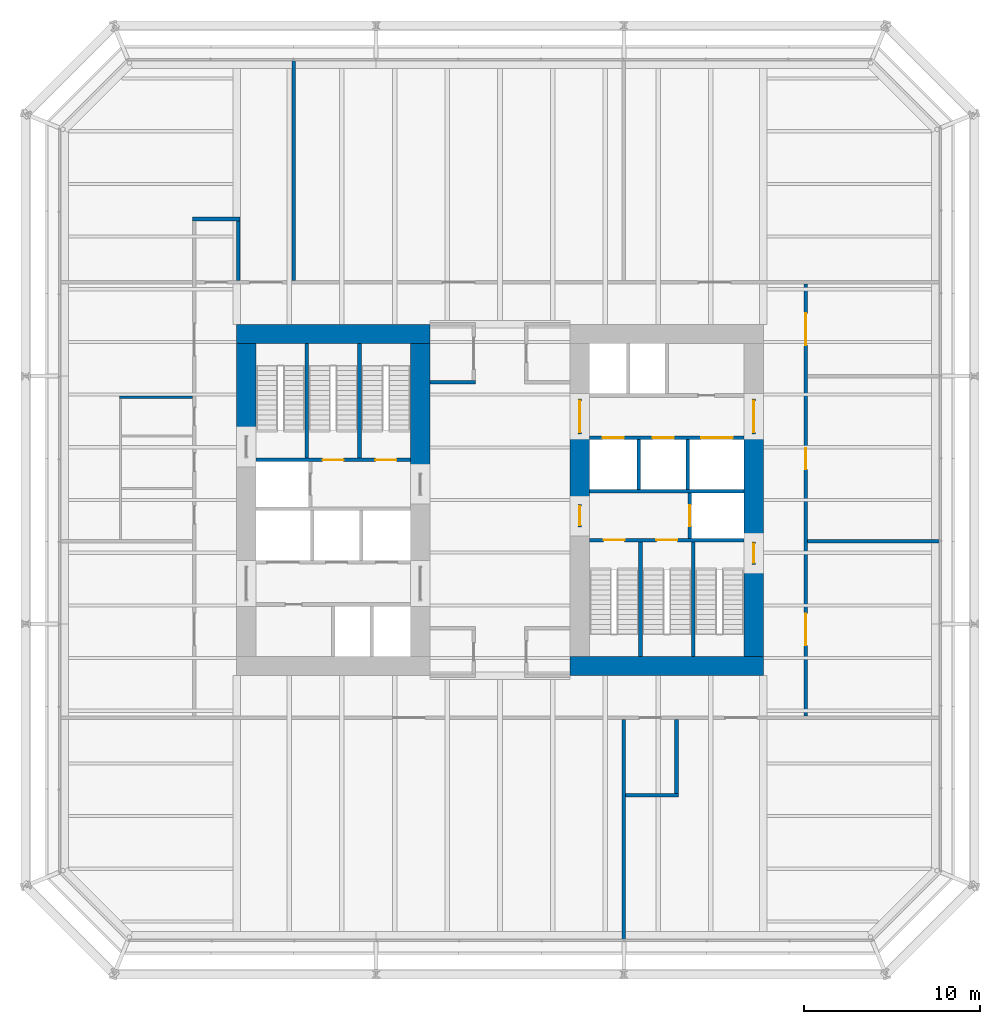
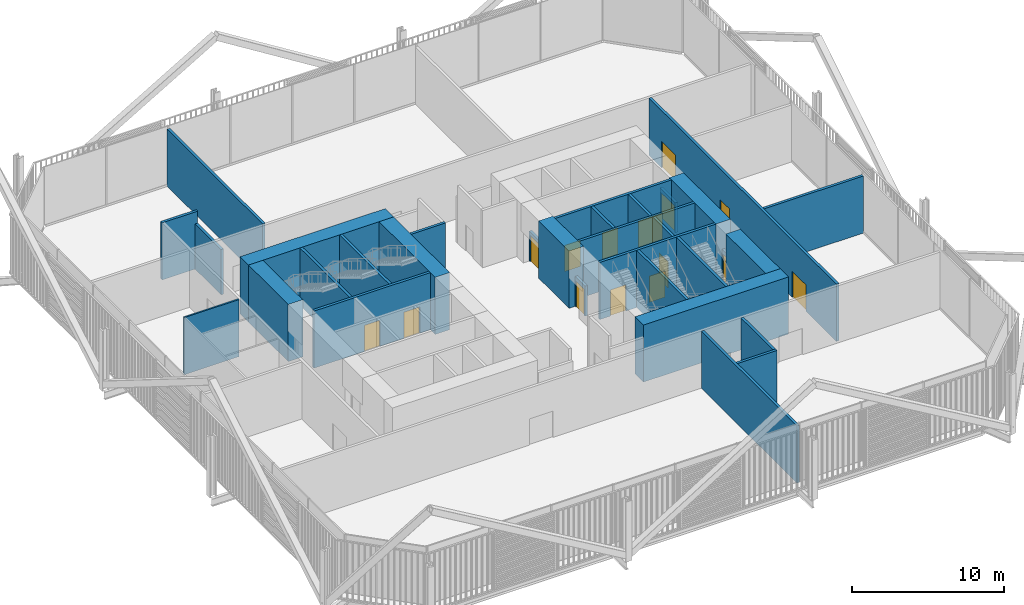
# One storey, part 19 of 22: 32 walls, 15 doors, 15 openings.
"""IFC4 building model written with IfcOpenShell, lengths in metres."""

from ifc_helpers import new_model, si_unit, direction, frame, frame_2d, origin, place, context, subcontext, project, spatial, rectangle, extrude, material, layer, layer_set, type_object, element, fill, save


model = new_model("IFC4")

# Units and contexts
model_context = context("Model", 3, precision=1e-05, world=origin(), true_north=direction((0.0, 1.0)))
body_context = subcontext(model_context, "Body", "Model", "MODEL_VIEW")
ifc_project = project(units=[si_unit("LENGTHUNIT", "METRE"), si_unit("AREAUNIT", "SQUARE_METRE"), si_unit("VOLUMEUNIT", "CUBIC_METRE"), si_unit("PLANEANGLEUNIT", "RADIAN"), si_unit("MASSUNIT", "GRAM", prefix="KILO")], contexts=[model_context])

# Site, building, storey
site_placement = place(None, origin())
site = spatial("IfcSite", under=ifc_project, at=site_placement, CompositionType="ELEMENT")
building_placement = place(site_placement, origin())
building = spatial("IfcBuilding", under=site, at=building_placement, Name="Millrace Tower", CompositionType="ELEMENT")
storey_placement = place(building_placement, frame((0.0, 0.0, 54.5)))
storey = spatial("IfcBuildingStorey", under=building, at=storey_placement, Name="L12", CompositionType="ELEMENT", Elevation=54.5)

# Walls
ifc_material_1 = material(Name="Concrete C80", Category="concrete")
ifc_layer_1 = layer(ifc_material_1, 1.10009765625)
ifc_layer_set_1 = layer_set([ifc_layer_1], Name="Concrete C80")
wall_type_1 = type_object("IfcWallType", Name="Core wall 1100 Concrete C80", PredefinedType="SHEAR", material=ifc_layer_set_1)
wall_1_placement = place(storey_placement, frame((-15.0, 9.449951171875, 0.0), z_axis=(0.0, 0.0, 1.0), x_axis=(1.0, 0.0, 0.0)))
element("IfcWall", 1, at=wall_1_placement, inside=storey, type_object=wall_type_1, Name="Core wall W L12", PredefinedType="SHEAR", context=body_context, shape_type="SweptSolid", body=[
    extrude(rectangle(XDim=11.0, YDim=1.10009765625, at=frame_2d((5.5, 0.0))), origin(), (0.0, 0.0, 1.0), 4.574951171875),
])
wall_2_placement = place(storey_placement, frame((-14.449951171875, 3.679931640625, 0.0), z_axis=(0.0, 0.0, 1.0), x_axis=(0.0, 1.0, 0.0)))
element("IfcWall", 2, at=wall_2_placement, inside=storey, type_object=wall_type_1, Name="Core wall W L12", PredefinedType="SHEAR", context=body_context, shape_type="SweptSolid", body=[
    extrude(rectangle(XDim=5.219970703125, YDim=1.10009765625, at=frame_2d((2.60986328125, 0.0))), origin(), (0.0, 0.0, 1.0), 4.574951171875),
])
wall_3_placement = place(storey_placement, frame((-4.550048828125, 1.550048828125, 0.0), z_axis=(0.0, 0.0, 1.0), x_axis=(0.0, 1.0, 0.0)))
element("IfcWall", 3, at=wall_3_placement, inside=storey, type_object=wall_type_1, Name="Core wall W L12", PredefinedType="SHEAR", context=body_context, shape_type="SweptSolid", body=[
    extrude(rectangle(XDim=7.349853515625, YDim=1.10009765625, at=frame_2d((3.6748046875, 0.0))), origin(), (0.0, 0.0, 1.0), 4.574951171875),
])
wall_4_placement = place(storey_placement, frame((15.0, -9.449951171875, 0.0), z_axis=(0.0, 0.0, 1.0), x_axis=(-1.0, 0.0, 0.0)))
element("IfcWall", 4, at=wall_4_placement, inside=storey, type_object=wall_type_1, Name="Core wall E L12", PredefinedType="SHEAR", context=body_context, shape_type="SweptSolid", body=[
    extrude(rectangle(XDim=11.0, YDim=1.10009765625, at=frame_2d((5.5, 0.0))), origin(), (0.0, 0.0, 1.0), 4.574951171875),
])
wall_5_placement = place(storey_placement, frame((14.449951171875, 3.75, 0.0), z_axis=(0.0, 0.0, 1.0), x_axis=(0.0, -1.0, 0.0)))
element("IfcWall", 5, at=wall_5_placement, inside=storey, type_object=wall_type_1, Name="Core wall E L12", PredefinedType="SHEAR", context=body_context, shape_type="SweptSolid", body=[
    extrude(rectangle(XDim=6.1298828125, YDim=1.10009765625, at=frame_2d((3.06494140625, 0.0))), origin(), (0.0, 0.0, 1.0), 4.574951171875),
])
wall_6_placement = place(storey_placement, frame((14.449951171875, -3.679931640625, 0.0), z_axis=(0.0, 0.0, 1.0), x_axis=(0.0, -1.0, 0.0)))
element("IfcWall", 6, at=wall_6_placement, inside=storey, type_object=wall_type_1, Name="Core wall E L12", PredefinedType="SHEAR", context=body_context, shape_type="SweptSolid", body=[
    extrude(rectangle(XDim=5.219970703125, YDim=1.10009765625, at=frame_2d((2.60986328125, 0.0))), origin(), (0.0, 0.0, 1.0), 4.574951171875),
])
wall_7_placement = place(storey_placement, frame((4.550048828125, 3.75, 0.0), z_axis=(0.0, 0.0, 1.0), x_axis=(0.0, -1.0, 0.0)))
element("IfcWall", 7, at=wall_7_placement, inside=storey, type_object=wall_type_1, Name="Core wall E L12", PredefinedType="SHEAR", context=body_context, shape_type="SweptSolid", body=[
    extrude(rectangle(XDim=4.0, YDim=1.10009765625, at=frame_2d((2.0, 0.0))), origin(), (0.0, 0.0, 1.0), 4.574951171875),
])
ifc_material_2 = material(Name="Masonry partition, fire-rated", Category="masonry")
ifc_layer_2 = layer(ifc_material_2, 0.199951171875)
ifc_layer_set_2 = layer_set([ifc_layer_2], Name="Masonry partition, fire-rated")
wall_type_2 = type_object("IfcWallType", Name="Corridor wall 200", PredefinedType="PARTITIONING", material=ifc_layer_set_2)
wall_8_placement = place(storey_placement, frame((7.14990234375, -16.800048828125, 0.0), z_axis=(0.0, 0.0, 1.0), x_axis=(1.0, 0.0, 0.0)))
element("IfcWall", 8, at=wall_8_placement, inside=storey, type_object=wall_type_2, Name="Corridor wall L12", PredefinedType="PARTITIONING", context=body_context, shape_type="SweptSolid", body=[
    extrude(rectangle(XDim=3.0, YDim=0.199951171875, at=frame_2d((1.5, 0.0))), origin(), (0.0, 0.0, 1.0), 4.574951171875),
])
wall_9_placement = place(storey_placement, frame((17.5, -2.35009765625, 0.0), z_axis=(0.0, 0.0, 1.0), x_axis=(1.0, 0.0, 0.0)))
element("IfcWall", 9, at=wall_9_placement, inside=storey, type_object=wall_type_2, Name="Corridor wall L12", PredefinedType="PARTITIONING", context=body_context, shape_type="SweptSolid", body=[
    extrude(rectangle(XDim=7.530029296875, YDim=0.199951171875, at=frame_2d((3.76513671875, 0.0))), origin(), (0.0, 0.0, 1.0), 4.574951171875),
])
wall_10_placement = place(storey_placement, frame((-4.0, 6.699951171875, 0.0), z_axis=(0.0, 0.0, 1.0), x_axis=(1.0, 0.0, 0.0)))
element("IfcWall", 10, at=wall_10_placement, inside=storey, type_object=wall_type_2, Name="Corridor wall L12", PredefinedType="PARTITIONING", context=body_context, shape_type="SweptSolid", body=[
    extrude(rectangle(XDim=2.60009765625, YDim=0.199951171875, at=frame_2d((1.300048828125, 0.0))), origin(), (0.0, 0.0, 1.0), 4.574951171875),
])
wall_11_placement = place(storey_placement, frame((-17.5, 16.0, 0.0), z_axis=(0.0, 0.0, 1.0), x_axis=(1.0, 0.0, 0.0)))
element("IfcWall", 11, at=wall_11_placement, inside=storey, type_object=wall_type_2, Name="Corridor wall L12", PredefinedType="PARTITIONING", context=body_context, shape_type="SweptSolid", body=[
    extrude(rectangle(XDim=2.699951171875, YDim=0.199951171875, at=frame_2d((1.35009765625, 0.0))), origin(), (0.0, 0.0, 1.0), 4.574951171875),
])

# Wall, openings, doors
wall_12_placement = place(storey_placement, frame((17.39990234375, -12.300048828125, 0.0), z_axis=(0.0, 0.0, 1.0), x_axis=(0.0, 1.0, 0.0)))
wall_12 = element("IfcWall", 12, at=wall_12_placement, inside=storey, type_object=wall_type_2, Name="Corridor wall L12", PredefinedType="PARTITIONING", context=body_context, shape_type="SweptSolid", body=[
    extrude(rectangle(XDim=24.60009765625, YDim=0.199951171875, at=frame_2d((12.300048828125, 0.0))), origin(), (0.0, 0.0, 1.0), 4.574951171875),
])
opening_1_placement = place(wall_12_placement, frame((4.02490234375, 0.0, 0.0)))
opening_1 = element("IfcOpeningElement", 13, at=opening_1_placement, cuts=wall_12, Name="Opening 12-P012", PredefinedType="OPENING", context=body_context, shape_type="SweptSolid", body=[
    extrude(rectangle(XDim=1.800048828125, YDim=2.10009765625, at=frame_2d((0.89990234375, 1.050048828125))), frame((0.0, 0.10986328125, 0.0), z_axis=(0.0, -1.0, 0.0), x_axis=(1.0, 0.0, 0.0)), (0.0, 0.0, 1.0), 0.219970703125),
])
opening_2_placement = place(wall_12_placement, frame((14.050048828125, 0.0, 0.0)))
opening_2 = element("IfcOpeningElement", 14, at=opening_2_placement, cuts=wall_12, Name="Opening 12-P013", PredefinedType="OPENING", context=body_context, shape_type="SweptSolid", body=[
    extrude(rectangle(XDim=1.199951171875, YDim=2.10009765625, at=frame_2d((0.60009765625, 1.050048828125))), frame((0.0, 0.10986328125, 0.0), z_axis=(0.0, -1.0, 0.0), x_axis=(1.0, 0.0, 0.0)), (0.0, 0.0, 1.0), 0.219970703125),
])
opening_3_placement = place(wall_12_placement, frame((21.125, 0.0, 0.0)))
opening_3 = element("IfcOpeningElement", 15, at=opening_3_placement, cuts=wall_12, Name="Opening 12-P014", PredefinedType="OPENING", context=body_context, shape_type="SweptSolid", body=[
    extrude(rectangle(XDim=1.800048828125, YDim=2.10009765625, at=frame_2d((0.89990234375, 1.050048828125))), frame((0.0, 0.10986328125, 0.0), z_axis=(0.0, -1.0, 0.0), x_axis=(1.0, 0.0, 0.0)), (0.0, 0.0, 1.0), 0.219970703125),
])
ifc_material_3 = material(Name="Steel door set, fire-rated", Category="steel")
door_type_1 = type_object("IfcDoorType", Name="Corridor door 1200 x 2100", OperationType="SINGLE_SWING_LEFT", PredefinedType="DOOR", material=ifc_material_3)
door_1_placement = place(opening_2_placement, frame((1.199951171875, 0.0, 0.0), z_axis=(0.0, 0.0, 1.0), x_axis=(-1.0, 0.0, 0.0)))
door_1 = element("IfcDoor", 16, at=door_1_placement, inside=storey, type_object=door_type_1, Name="Door 12-P013", OperationType="SINGLE_SWING_LEFT", OverallHeight=2.10009765625, OverallWidth=1.199951171875, PredefinedType="DOOR", context=body_context, shape_type="SweptSolid", body=[
    extrude(rectangle(XDim=1.199951171875, YDim=2.10009765625, at=frame_2d((0.60009765625, 1.050048828125))), frame((0.0, 0.02490234375, 0.0), z_axis=(0.0, -1.0, 0.0), x_axis=(1.0, 0.0, 0.0)), (0.0, 0.0, 1.0), 0.050048828125),
])
fill(opening_2, door_1)
ifc_material_4 = material(Name="Steel door set, fire-rated", Category="steel")
door_type_2 = type_object("IfcDoorType", Name="Data hall door 1800 x 2100", OperationType="DOUBLE_DOOR_SINGLE_SWING", PredefinedType="DOOR", material=ifc_material_4)
door_2_placement = place(opening_1_placement, frame((1.800048828125, 0.0, 0.0), z_axis=(0.0, 0.0, 1.0), x_axis=(-1.0, 0.0, 0.0)))
door_2 = element("IfcDoor", 17, at=door_2_placement, inside=storey, type_object=door_type_2, Name="Door 12-P012", OperationType="DOUBLE_DOOR_SINGLE_SWING", OverallHeight=2.10009765625, OverallWidth=1.800048828125, PredefinedType="DOOR", context=body_context, shape_type="SweptSolid", body=[
    extrude(rectangle(XDim=1.800048828125, YDim=2.10009765625, at=frame_2d((0.89990234375, 1.050048828125))), frame((0.0, 0.02490234375, 0.0), z_axis=(0.0, -1.0, 0.0), x_axis=(1.0, 0.0, 0.0)), (0.0, 0.0, 1.0), 0.050048828125),
])
fill(opening_1, door_2)
door_3_placement = place(opening_3_placement, frame((1.800048828125, 0.0, 0.0), z_axis=(0.0, 0.0, 1.0), x_axis=(-1.0, 0.0, 0.0)))
door_3 = element("IfcDoor", 18, at=door_3_placement, inside=storey, type_object=door_type_2, Name="Door 12-P014", OperationType="DOUBLE_DOOR_SINGLE_SWING", OverallHeight=2.10009765625, OverallWidth=1.800048828125, PredefinedType="DOOR", context=body_context, shape_type="SweptSolid", body=[
    extrude(rectangle(XDim=1.800048828125, YDim=2.10009765625, at=frame_2d((0.89990234375, 1.050048828125))), frame((0.0, 0.02490234375, 0.0), z_axis=(0.0, -1.0, 0.0), x_axis=(1.0, 0.0, 0.0)), (0.0, 0.0, 1.0), 0.050048828125),
])
fill(opening_3, door_3)

# Walls
wall_13_placement = place(storey_placement, frame((10.050048828125, -16.699951171875, 0.0), z_axis=(0.0, 0.0, 1.0), x_axis=(0.0, 1.0, 0.0)))
element("IfcWall", 19, at=wall_13_placement, inside=storey, type_object=wall_type_2, Name="Corridor wall L12", PredefinedType="PARTITIONING", context=body_context, shape_type="SweptSolid", body=[
    extrude(rectangle(XDim=4.199951171875, YDim=0.199951171875, at=frame_2d((2.10009765625, 0.0))), origin(), (0.0, 0.0, 1.0), 4.574951171875),
])
for number, where, z_axis, x_axis, name in (
    (20, (7.050048828125, -25.030029296875, 0.0), (0.0, 0.0, 1.0), (0.0, 1.0, 0.0), "Corridor wall L12"),
    (21, (-11.75, 12.5, 0.0), (0.0, 0.0, 1.0), (0.0, 1.0, 0.0), "Corridor wall L12"),
):
    element("IfcWall", number, at=place(storey_placement, frame(where, z_axis=z_axis, x_axis=x_axis)), inside=storey, type_object=wall_type_2, Name=name, PredefinedType="PARTITIONING", context=body_context, shape_type="SweptSolid", body=[
        extrude(rectangle(XDim=12.530029296875, YDim=0.199951171875, at=frame_2d((6.26513671875, 0.0))), origin(), (0.0, 0.0, 1.0), 4.574951171875),
    ])
wall_14_placement = place(storey_placement, frame((-14.89990234375, 12.5, 0.0), z_axis=(0.0, 0.0, 1.0), x_axis=(0.0, 1.0, 0.0)))
element("IfcWall", 22, at=wall_14_placement, inside=storey, type_object=wall_type_2, Name="Corridor wall L12", PredefinedType="PARTITIONING", context=body_context, shape_type="SweptSolid", body=[
    extrude(rectangle(XDim=3.39990234375, YDim=0.199951171875, at=frame_2d((1.699951171875, 0.0))), origin(), (0.0, 0.0, 1.0), 3.627685546875),
])

# Wall, openings, doors
ifc_material_5 = material(Name="Masonry partition, fire-rated", Category="masonry")
ifc_layer_3 = layer(ifc_material_5, 0.199951171875)
ifc_layer_set_3 = layer_set([ifc_layer_3], Name="Masonry partition, fire-rated")
wall_type_3 = type_object("IfcWallType", Name="Lift shaft wall 200", PredefinedType="PARTITIONING", material=ifc_layer_set_3)
wall_15_placement = place(storey_placement, frame((13.89990234375, 3.550048828125, 0.0), z_axis=(0.0, 0.0, 1.0), x_axis=(-1.0, 0.0, 0.0)))
wall_15 = element("IfcWall", 23, at=wall_15_placement, inside=storey, type_object=wall_type_3, Name="Lift shaft wall E L12", PredefinedType="PARTITIONING", context=body_context, shape_type="SweptSolid", body=[
    extrude(rectangle(XDim=8.7998046875, YDim=0.199951171875, at=frame_2d((4.39990234375, 0.0))), origin(), (0.0, 0.0, 1.0), 4.574951171875),
])
opening_4_placement = place(wall_15_placement, frame((0.64990234375, 0.0, 0.0)))
opening_4 = element("IfcOpeningElement", 24, at=opening_4_placement, cuts=wall_15, Name="Opening 12-LD13", PredefinedType="OPENING", context=body_context, shape_type="SweptSolid", body=[
    extrude(rectangle(XDim=1.800048828125, YDim=2.10009765625, at=frame_2d((0.89990234375, 1.050048828125))), frame((0.0, 0.10986328125, 0.0), z_axis=(0.0, -1.0, 0.0), x_axis=(1.0, 0.0, 0.0)), (0.0, 0.0, 1.0), 0.219970703125),
])
opening_5_placement = place(wall_15_placement, frame((4.0, 0.0, 0.0)))
opening_5 = element("IfcOpeningElement", 25, at=opening_5_placement, cuts=wall_15, Name="Opening 12-LD14", PredefinedType="OPENING", context=body_context, shape_type="SweptSolid", body=[
    extrude(rectangle(XDim=1.199951171875, YDim=2.10009765625, at=frame_2d((0.60009765625, 1.050048828125))), frame((0.0, 0.10986328125, 0.0), z_axis=(0.0, -1.0, 0.0), x_axis=(1.0, 0.0, 0.0)), (0.0, 0.0, 1.0), 0.219970703125),
])
opening_6_placement = place(wall_15_placement, frame((6.85009765625, 0.0, 0.0)))
opening_6 = element("IfcOpeningElement", 26, at=opening_6_placement, cuts=wall_15, Name="Opening 12-LD15", PredefinedType="OPENING", context=body_context, shape_type="SweptSolid", body=[
    extrude(rectangle(XDim=1.199951171875, YDim=2.10009765625, at=frame_2d((0.60009765625, 1.050048828125))), frame((0.0, 0.10986328125, 0.0), z_axis=(0.0, -1.0, 0.0), x_axis=(1.0, 0.0, 0.0)), (0.0, 0.0, 1.0), 0.219970703125),
])
ifc_material_6 = material(Name="Stainless steel, fire-rated", Category="steel")
door_type_3 = type_object("IfcDoorType", Name="Lift landing door 1200 x 2100", OperationType="DOUBLE_DOOR_SLIDING", PredefinedType="DOOR", material=ifc_material_6)
door_4_placement = place(opening_5_placement, origin())
door_4 = element("IfcDoor", 27, at=door_4_placement, inside=storey, type_object=door_type_3, Name="Lift landing door LF14 L12", OperationType="DOUBLE_DOOR_SLIDING", OverallHeight=2.10009765625, OverallWidth=1.199951171875, PredefinedType="DOOR", context=body_context, shape_type="SweptSolid", body=[
    extrude(rectangle(XDim=1.199951171875, YDim=2.10009765625, at=frame_2d((0.60009765625, 1.050048828125))), frame((0.0, 0.02490234375, 0.0), z_axis=(0.0, -1.0, 0.0), x_axis=(1.0, 0.0, 0.0)), (0.0, 0.0, 1.0), 0.050048828125),
])
fill(opening_5, door_4)
door_5_placement = place(opening_6_placement, origin())
door_5 = element("IfcDoor", 28, at=door_5_placement, inside=storey, type_object=door_type_3, Name="Lift landing door LF15 L12", OperationType="DOUBLE_DOOR_SLIDING", OverallHeight=2.10009765625, OverallWidth=1.199951171875, PredefinedType="DOOR", context=body_context, shape_type="SweptSolid", body=[
    extrude(rectangle(XDim=1.199951171875, YDim=2.10009765625, at=frame_2d((0.60009765625, 1.050048828125))), frame((0.0, 0.02490234375, 0.0), z_axis=(0.0, -1.0, 0.0), x_axis=(1.0, 0.0, 0.0)), (0.0, 0.0, 1.0), 0.050048828125),
])
fill(opening_6, door_5)
ifc_material_7 = material(Name="Stainless steel, fire-rated", Category="steel")
door_type_4 = type_object("IfcDoorType", Name="Lift landing door 1800 x 2100", OperationType="DOUBLE_DOOR_SLIDING", PredefinedType="DOOR", material=ifc_material_7)
door_6_placement = place(opening_4_placement, origin())
door_6 = element("IfcDoor", 29, at=door_6_placement, inside=storey, type_object=door_type_4, Name="Lift landing door LF13 L12", OperationType="DOUBLE_DOOR_SLIDING", OverallHeight=2.10009765625, OverallWidth=1.800048828125, PredefinedType="DOOR", context=body_context, shape_type="SweptSolid", body=[
    extrude(rectangle(XDim=1.800048828125, YDim=2.10009765625, at=frame_2d((0.89990234375, 1.050048828125))), frame((0.0, 0.02490234375, 0.0), z_axis=(0.0, -1.0, 0.0), x_axis=(1.0, 0.0, 0.0)), (0.0, 0.0, 1.0), 0.050048828125),
])
fill(opening_4, door_6)

# Wall
wall_16_placement = place(storey_placement, frame((13.89990234375, 0.5, 0.0), z_axis=(0.0, 0.0, 1.0), x_axis=(-1.0, 0.0, 0.0)))
element("IfcWall", 30, at=wall_16_placement, inside=storey, type_object=wall_type_3, Name="Lift shaft wall E L12", PredefinedType="PARTITIONING", context=body_context, shape_type="SweptSolid", body=[
    extrude(rectangle(XDim=8.7998046875, YDim=0.199951171875, at=frame_2d((4.39990234375, 0.0))), origin(), (0.0, 0.0, 1.0), 4.574951171875),
])

# Wall, opening, door
wall_17_placement = place(storey_placement, frame((10.800048828125, 0.39990234375, 0.0), z_axis=(0.0, 0.0, 1.0), x_axis=(0.0, -1.0, 0.0)))
wall_17 = element("IfcWall", 31, at=wall_17_placement, inside=storey, type_object=wall_type_3, Name="Lift shaft wall E L12", PredefinedType="PARTITIONING", context=body_context, shape_type="SweptSolid", body=[
    extrude(rectangle(XDim=2.579833984375, YDim=0.199951171875, at=frame_2d((1.2900390625, 0.0))), origin(), (0.0, 0.0, 1.0), 4.574951171875),
])
opening_7_placement = place(wall_17_placement, frame((0.68994140625, 0.0, 0.0)))
opening_7 = element("IfcOpeningElement", 32, at=opening_7_placement, cuts=wall_17, Name="Opening 12-LD16", PredefinedType="OPENING", context=body_context, shape_type="SweptSolid", body=[
    extrude(rectangle(XDim=1.199951171875, YDim=2.10009765625, at=frame_2d((0.60009765625, 1.050048828125))), frame((0.0, 0.10986328125, 0.0), z_axis=(0.0, -1.0, 0.0), x_axis=(1.0, 0.0, 0.0)), (0.0, 0.0, 1.0), 0.219970703125),
])
door_7_placement = place(opening_7_placement, origin())
door_7 = element("IfcDoor", 33, at=door_7_placement, inside=storey, type_object=door_type_3, Name="Lift landing door LF16 L12", OperationType="DOUBLE_DOOR_SLIDING", OverallHeight=2.10009765625, OverallWidth=1.199951171875, PredefinedType="DOOR", context=body_context, shape_type="SweptSolid", body=[
    extrude(rectangle(XDim=1.199951171875, YDim=2.10009765625, at=frame_2d((0.60009765625, 1.050048828125))), frame((0.0, 0.02490234375, 0.0), z_axis=(0.0, -1.0, 0.0), x_axis=(1.0, 0.0, 0.0)), (0.0, 0.0, 1.0), 0.050048828125),
])
fill(opening_7, door_7)

# Walls
for number, where, z_axis, x_axis, name in (
    (34, (10.699951171875, 3.449951171875, 0.0), (0.0, 0.0, 1.0), (0.0, -1.0, 0.0), "Lift shaft wall E L12"),
    (35, (7.89990234375, 3.449951171875, 0.0), (0.0, 0.0, 1.0), (0.0, -1.0, 0.0), "Lift shaft wall E L12"),
):
    element("IfcWall", number, at=place(storey_placement, frame(where, z_axis=z_axis, x_axis=x_axis)), inside=storey, type_object=wall_type_3, Name=name, PredefinedType="PARTITIONING", context=body_context, shape_type="SweptSolid", body=[
        extrude(rectangle(XDim=2.849853515625, YDim=0.199951171875, at=frame_2d((1.4248046875, 0.0))), origin(), (0.0, 0.0, 1.0), 4.574951171875),
    ])

# Wall, opening, door
ifc_material_8 = material(Name="Masonry partition, fire-rated", Category="masonry")
ifc_layer_4 = layer(ifc_material_8, 0.199951171875)
ifc_layer_set_4 = layer_set([ifc_layer_4], Name="Masonry partition, fire-rated")
wall_type_4 = type_object("IfcWallType", Name="Lobby wall 200", PredefinedType="PARTITIONING", material=ifc_layer_set_4)
wall_18_placement = place(storey_placement, frame((14.449951171875, 5.75, 0.0), z_axis=(0.0, 0.0, 1.0), x_axis=(0.0, -1.0, 0.0)))
wall_18 = element("IfcWall", 36, at=wall_18_placement, inside=storey, type_object=wall_type_4, Name="Lobby wall E L12", PredefinedType="PARTITIONING", context=body_context, shape_type="SweptSolid", body=[
    extrude(rectangle(XDim=2.0, YDim=0.199951171875, at=frame_2d((1.0, 0.0))), origin(), (0.0, 0.0, 1.0), 2.39990234375),
])
opening_8_placement = place(wall_18_placement, frame((0.10009765625, 0.0, 0.0)))
opening_8 = element("IfcOpeningElement", 37, at=opening_8_placement, cuts=wall_18, Name="Opening 12-C008", PredefinedType="OPENING", context=body_context, shape_type="SweptSolid", body=[
    extrude(rectangle(XDim=1.800048828125, YDim=2.10009765625, at=frame_2d((0.89990234375, 1.050048828125))), frame((0.0, 0.10986328125, 0.0), z_axis=(0.0, -1.0, 0.0), x_axis=(1.0, 0.0, 0.0)), (0.0, 0.0, 1.0), 0.219970703125),
])
ifc_material_9 = material(Name="Steel door, fire-rated", Category="steel")
door_type_5 = type_object("IfcDoorType", Name="Lobby door 1800 x 2100", OperationType="DOUBLE_DOOR_SINGLE_SWING", PredefinedType="DOOR", material=ifc_material_9)
door_8_placement = place(opening_8_placement, origin())
door_8 = element("IfcDoor", 38, at=door_8_placement, inside=storey, type_object=door_type_5, Name="Lobby door 12-C008", OperationType="DOUBLE_DOOR_SINGLE_SWING", OverallHeight=2.10009765625, OverallWidth=1.800048828125, PredefinedType="DOOR", context=body_context, shape_type="SweptSolid", body=[
    extrude(rectangle(XDim=1.800048828125, YDim=2.10009765625, at=frame_2d((0.89990234375, 1.050048828125))), frame((0.0, 0.02490234375, 0.0), z_axis=(0.0, -1.0, 0.0), x_axis=(1.0, 0.0, 0.0)), (0.0, 0.0, 1.0), 0.050048828125),
])
fill(opening_8, door_8)

wall_19_placement = place(storey_placement, frame((4.550048828125, 5.75, 0.0), z_axis=(0.0, 0.0, 1.0), x_axis=(0.0, -1.0, 0.0)))
wall_19 = element("IfcWall", 39, at=wall_19_placement, inside=storey, type_object=wall_type_4, Name="Lobby wall E L12", PredefinedType="PARTITIONING", context=body_context, shape_type="SweptSolid", body=[
    extrude(rectangle(XDim=2.0, YDim=0.199951171875, at=frame_2d((1.0, 0.0))), origin(), (0.0, 0.0, 1.0), 2.39990234375),
])
opening_9_placement = place(wall_19_placement, frame((0.10009765625, 0.0, 0.0)))
opening_9 = element("IfcOpeningElement", 40, at=opening_9_placement, cuts=wall_19, Name="Opening 12-C010", PredefinedType="OPENING", context=body_context, shape_type="SweptSolid", body=[
    extrude(rectangle(XDim=1.800048828125, YDim=2.10009765625, at=frame_2d((0.89990234375, 1.050048828125))), frame((0.0, 0.10986328125, 0.0), z_axis=(0.0, -1.0, 0.0), x_axis=(1.0, 0.0, 0.0)), (0.0, 0.0, 1.0), 0.219970703125),
])
door_9_placement = place(opening_9_placement, origin())
door_9 = element("IfcDoor", 41, at=door_9_placement, inside=storey, type_object=door_type_5, Name="Lobby door 12-C010", OperationType="DOUBLE_DOOR_SINGLE_SWING", OverallHeight=2.10009765625, OverallWidth=1.800048828125, PredefinedType="DOOR", context=body_context, shape_type="SweptSolid", body=[
    extrude(rectangle(XDim=1.800048828125, YDim=2.10009765625, at=frame_2d((0.89990234375, 1.050048828125))), frame((0.0, 0.02490234375, 0.0), z_axis=(0.0, -1.0, 0.0), x_axis=(1.0, 0.0, 0.0)), (0.0, 0.0, 1.0), 0.050048828125),
])
fill(opening_9, door_9)

wall_20_placement = place(storey_placement, frame((4.550048828125, -0.25, 0.0), z_axis=(0.0, 0.0, 1.0), x_axis=(0.0, -1.0, 0.0)))
wall_20 = element("IfcWall", 42, at=wall_20_placement, inside=storey, type_object=wall_type_4, Name="Lobby wall E L12", PredefinedType="PARTITIONING", context=body_context, shape_type="SweptSolid", body=[
    extrude(rectangle(XDim=1.300048828125, YDim=0.199951171875, at=frame_2d((0.64990234375, 0.0))), origin(), (0.0, 0.0, 1.0), 2.39990234375),
])
opening_10_placement = place(wall_20_placement, frame((0.10009765625, 0.0, 0.0)))
opening_10 = element("IfcOpeningElement", 43, at=opening_10_placement, cuts=wall_20, Name="Opening 12-C011", PredefinedType="OPENING", context=body_context, shape_type="SweptSolid", body=[
    extrude(rectangle(XDim=1.10009765625, YDim=2.10009765625, at=frame_2d((0.550048828125, 1.050048828125))), frame((0.0, 0.10986328125, 0.0), z_axis=(0.0, -1.0, 0.0), x_axis=(1.0, 0.0, 0.0)), (0.0, 0.0, 1.0), 0.219970703125),
])
ifc_material_10 = material(Name="Steel door, fire-rated", Category="steel")
door_type_6 = type_object("IfcDoorType", Name="Lobby door 1100 x 2100", OperationType="SINGLE_SWING_LEFT", PredefinedType="DOOR", material=ifc_material_10)
door_10_placement = place(opening_10_placement, origin())
door_10 = element("IfcDoor", 44, at=door_10_placement, inside=storey, type_object=door_type_6, Name="Lobby door 12-C011", OperationType="SINGLE_SWING_LEFT", OverallHeight=2.10009765625, OverallWidth=1.10009765625, PredefinedType="DOOR", context=body_context, shape_type="SweptSolid", body=[
    extrude(rectangle(XDim=1.10009765625, YDim=2.10009765625, at=frame_2d((0.550048828125, 1.050048828125))), frame((0.0, 0.02490234375, 0.0), z_axis=(0.0, -1.0, 0.0), x_axis=(1.0, 0.0, 0.0)), (0.0, 0.0, 1.0), 0.050048828125),
])
fill(opening_10, door_10)

# Wall
ifc_material_11 = material(Name="Gypsum board partition")
ifc_layer_5 = layer(ifc_material_11, 0.1201171875)
ifc_layer_set_5 = layer_set([ifc_layer_5], Name="Gypsum board partition")
wall_type_5 = type_object("IfcWallType", Name="Partition wall 120", PredefinedType="PARTITIONING", material=ifc_layer_set_5)
wall_21_placement = place(storey_placement, frame((-21.659912109375, 5.85009765625, 0.0), z_axis=(0.0, 0.0, 1.0), x_axis=(1.0, 0.0, 0.0)))
element("IfcWall", 45, at=wall_21_placement, inside=storey, type_object=wall_type_5, Name="Partition wall L12", PredefinedType="PARTITIONING", context=body_context, shape_type="SweptSolid", body=[
    extrude(rectangle(XDim=4.159912109375, YDim=0.1201171875, at=frame_2d((2.080078125, 0.0))), origin(), (0.0, 0.0, 1.0), 4.574951171875),
])

# Wall, openings, doors
ifc_material_12 = material(Name="Concrete C40", Category="concrete")
ifc_layer_6 = layer(ifc_material_12, 0.199951171875)
ifc_layer_set_6 = layer_set([ifc_layer_6], Name="Concrete C40")
wall_type_6 = type_object("IfcWallType", Name="Stair enclosure wall 200 Concrete C40", PredefinedType="SHEAR", material=ifc_layer_set_6)
wall_22_placement = place(storey_placement, frame((-13.89990234375, 2.280029296875, 0.0), z_axis=(0.0, 0.0, 1.0), x_axis=(1.0, 0.0, 0.0)))
wall_22 = element("IfcWall", 46, at=wall_22_placement, inside=storey, type_object=wall_type_6, Name="Stair enclosure wall W L12", PredefinedType="SHEAR", context=body_context, shape_type="SweptSolid", body=[
    extrude(rectangle(XDim=8.7998046875, YDim=0.199951171875, at=frame_2d((4.39990234375, 0.0))), origin(), (0.0, 0.0, 1.0), 4.574951171875),
])
opening_11_placement = place(wall_22_placement, frame((3.800048828125, 0.0, 0.0)))
opening_11 = element("IfcOpeningElement", 47, at=opening_11_placement, cuts=wall_22, Name="Opening 12-C006", PredefinedType="OPENING", context=body_context, shape_type="SweptSolid", body=[
    extrude(rectangle(XDim=1.199951171875, YDim=2.10009765625, at=frame_2d((0.60009765625, 1.050048828125))), frame((0.0, 0.10986328125, 0.0), z_axis=(0.0, -1.0, 0.0), x_axis=(1.0, 0.0, 0.0)), (0.0, 0.0, 1.0), 0.219970703125),
])
opening_12_placement = place(wall_22_placement, frame((6.800048828125, 0.0, 0.0)))
opening_12 = element("IfcOpeningElement", 48, at=opening_12_placement, cuts=wall_22, Name="Opening 12-C007", PredefinedType="OPENING", context=body_context, shape_type="SweptSolid", body=[
    extrude(rectangle(XDim=1.199951171875, YDim=2.10009765625, at=frame_2d((0.60009765625, 1.050048828125))), frame((0.0, 0.10986328125, 0.0), z_axis=(0.0, -1.0, 0.0), x_axis=(1.0, 0.0, 0.0)), (0.0, 0.0, 1.0), 0.219970703125),
])
ifc_material_13 = material(Name="Steel door, fire-rated", Category="steel")
door_type_7 = type_object("IfcDoorType", Name="Stair door 1200 x 2100", OperationType="SINGLE_SWING_LEFT", PredefinedType="DOOR", material=ifc_material_13)
door_11_placement = place(opening_11_placement, frame((1.199951171875, 0.0, 0.0), z_axis=(0.0, 0.0, 1.0), x_axis=(-1.0, 0.0, 0.0)))
door_11 = element("IfcDoor", 49, at=door_11_placement, inside=storey, type_object=door_type_7, Name="Stair door 12-C006", OperationType="SINGLE_SWING_LEFT", OverallHeight=2.10009765625, OverallWidth=1.199951171875, PredefinedType="DOOR", context=body_context, shape_type="SweptSolid", body=[
    extrude(rectangle(XDim=1.199951171875, YDim=2.10009765625, at=frame_2d((0.60009765625, 1.050048828125))), frame((0.0, 0.02490234375, 0.0), z_axis=(0.0, -1.0, 0.0), x_axis=(1.0, 0.0, 0.0)), (0.0, 0.0, 1.0), 0.050048828125),
])
fill(opening_11, door_11)
door_12_placement = place(opening_12_placement, frame((1.199951171875, 0.0, 0.0), z_axis=(0.0, 0.0, 1.0), x_axis=(-1.0, 0.0, 0.0)))
door_12 = element("IfcDoor", 50, at=door_12_placement, inside=storey, type_object=door_type_7, Name="Stair door 12-C007", OperationType="SINGLE_SWING_LEFT", OverallHeight=2.10009765625, OverallWidth=1.199951171875, PredefinedType="DOOR", context=body_context, shape_type="SweptSolid", body=[
    extrude(rectangle(XDim=1.199951171875, YDim=2.10009765625, at=frame_2d((0.60009765625, 1.050048828125))), frame((0.0, 0.02490234375, 0.0), z_axis=(0.0, -1.0, 0.0), x_axis=(1.0, 0.0, 0.0)), (0.0, 0.0, 1.0), 0.050048828125),
])
fill(opening_12, door_12)

# Walls
for number, where, z_axis, x_axis, name in (
    (51, (-11.0, 2.3798828125, 0.0), (0.0, 0.0, 1.0), (0.0, 1.0, 0.0), "Stair enclosure wall W L12"),
    (52, (-8.0, 2.3798828125, 0.0), (0.0, 0.0, 1.0), (0.0, 1.0, 0.0), "Stair enclosure wall W L12"),
):
    element("IfcWall", number, at=place(storey_placement, frame(where, z_axis=z_axis, x_axis=x_axis)), inside=storey, type_object=wall_type_6, Name=name, PredefinedType="SHEAR", context=body_context, shape_type="SweptSolid", body=[
        extrude(rectangle(XDim=6.52001953125, YDim=0.199951171875, at=frame_2d((3.260009765625, 0.0))), origin(), (0.0, 0.0, 1.0), 4.574951171875),
    ])

# Wall, opening, door
wall_23_placement = place(storey_placement, frame((14.449951171875, -2.3798828125, 0.0), z_axis=(0.0, 0.0, 1.0), x_axis=(0.0, -1.0, 0.0)))
wall_23 = element("IfcWall", 53, at=wall_23_placement, inside=storey, type_object=wall_type_6, Name="Stair enclosure wall E L12", PredefinedType="SHEAR", context=body_context, shape_type="SweptSolid", body=[
    extrude(rectangle(XDim=1.300048828125, YDim=0.199951171875, at=frame_2d((0.64990234375, 0.0))), origin(), (0.0, 0.0, 1.0), 2.39990234375),
])
opening_13_placement = place(wall_23_placement, frame((0.10009765625, 0.0, 0.0)))
opening_13 = element("IfcOpeningElement", 54, at=opening_13_placement, cuts=wall_23, Name="Opening 12-C009", PredefinedType="OPENING", context=body_context, shape_type="SweptSolid", body=[
    extrude(rectangle(XDim=1.10009765625, YDim=2.10009765625, at=frame_2d((0.550048828125, 1.050048828125))), frame((0.0, 0.10986328125, 0.0), z_axis=(0.0, -1.0, 0.0), x_axis=(1.0, 0.0, 0.0)), (0.0, 0.0, 1.0), 0.219970703125),
])
ifc_material_14 = material(Name="Steel door, fire-rated", Category="steel")
door_type_8 = type_object("IfcDoorType", Name="Stair door 1100 x 2100", OperationType="SINGLE_SWING_LEFT", PredefinedType="DOOR", material=ifc_material_14)
door_13_placement = place(opening_13_placement, origin())
door_13 = element("IfcDoor", 55, at=door_13_placement, inside=storey, type_object=door_type_8, Name="Stair door 12-C009", OperationType="SINGLE_SWING_RIGHT", OverallHeight=2.10009765625, OverallWidth=1.10009765625, PredefinedType="DOOR", context=body_context, shape_type="SweptSolid", body=[
    extrude(rectangle(XDim=1.10009765625, YDim=2.10009765625, at=frame_2d((0.550048828125, 1.050048828125))), frame((0.0, 0.02490234375, 0.0), z_axis=(0.0, -1.0, 0.0), x_axis=(1.0, 0.0, 0.0)), (0.0, 0.0, 1.0), 0.050048828125),
])
fill(opening_13, door_13)

# Wall, openings, doors
wall_24_placement = place(storey_placement, frame((13.89990234375, -2.280029296875, 0.0), z_axis=(0.0, 0.0, 1.0), x_axis=(-1.0, 0.0, 0.0)))
wall_24 = element("IfcWall", 56, at=wall_24_placement, inside=storey, type_object=wall_type_6, Name="Stair enclosure wall E L12", PredefinedType="SHEAR", context=body_context, shape_type="SweptSolid", body=[
    extrude(rectangle(XDim=8.7998046875, YDim=0.199951171875, at=frame_2d((4.39990234375, 0.0))), origin(), (0.0, 0.0, 1.0), 4.574951171875),
])
opening_14_placement = place(wall_24_placement, frame((3.800048828125, 0.0, 0.0)))
opening_14 = element("IfcOpeningElement", 57, at=opening_14_placement, cuts=wall_24, Name="Opening 12-C013", PredefinedType="OPENING", context=body_context, shape_type="SweptSolid", body=[
    extrude(rectangle(XDim=1.199951171875, YDim=2.10009765625, at=frame_2d((0.60009765625, 1.050048828125))), frame((0.0, 0.10986328125, 0.0), z_axis=(0.0, -1.0, 0.0), x_axis=(1.0, 0.0, 0.0)), (0.0, 0.0, 1.0), 0.219970703125),
])
opening_15_placement = place(wall_24_placement, frame((6.800048828125, 0.0, 0.0)))
opening_15 = element("IfcOpeningElement", 58, at=opening_15_placement, cuts=wall_24, Name="Opening 12-C014", PredefinedType="OPENING", context=body_context, shape_type="SweptSolid", body=[
    extrude(rectangle(XDim=1.199951171875, YDim=2.10009765625, at=frame_2d((0.60009765625, 1.050048828125))), frame((0.0, 0.10986328125, 0.0), z_axis=(0.0, -1.0, 0.0), x_axis=(1.0, 0.0, 0.0)), (0.0, 0.0, 1.0), 0.219970703125),
])
door_14_placement = place(opening_14_placement, frame((1.199951171875, 0.0, 0.0), z_axis=(0.0, 0.0, 1.0), x_axis=(-1.0, 0.0, 0.0)))
door_14 = element("IfcDoor", 59, at=door_14_placement, inside=storey, type_object=door_type_7, Name="Stair door 12-C013", OperationType="SINGLE_SWING_LEFT", OverallHeight=2.10009765625, OverallWidth=1.199951171875, PredefinedType="DOOR", context=body_context, shape_type="SweptSolid", body=[
    extrude(rectangle(XDim=1.199951171875, YDim=2.10009765625, at=frame_2d((0.60009765625, 1.050048828125))), frame((0.0, 0.02490234375, 0.0), z_axis=(0.0, -1.0, 0.0), x_axis=(1.0, 0.0, 0.0)), (0.0, 0.0, 1.0), 0.050048828125),
])
fill(opening_14, door_14)
door_15_placement = place(opening_15_placement, frame((1.199951171875, 0.0, 0.0), z_axis=(0.0, 0.0, 1.0), x_axis=(-1.0, 0.0, 0.0)))
door_15 = element("IfcDoor", 60, at=door_15_placement, inside=storey, type_object=door_type_7, Name="Stair door 12-C014", OperationType="SINGLE_SWING_LEFT", OverallHeight=2.10009765625, OverallWidth=1.199951171875, PredefinedType="DOOR", context=body_context, shape_type="SweptSolid", body=[
    extrude(rectangle(XDim=1.199951171875, YDim=2.10009765625, at=frame_2d((0.60009765625, 1.050048828125))), frame((0.0, 0.02490234375, 0.0), z_axis=(0.0, -1.0, 0.0), x_axis=(1.0, 0.0, 0.0)), (0.0, 0.0, 1.0), 0.050048828125),
])
fill(opening_15, door_15)

# Walls
for number, where, z_axis, x_axis, name in (
    (61, (11.0, -2.3798828125, 0.0), (0.0, 0.0, 1.0), (0.0, -1.0, 0.0), "Stair enclosure wall E L12"),
    (62, (8.0, -2.3798828125, 0.0), (0.0, 0.0, 1.0), (0.0, -1.0, 0.0), "Stair enclosure wall E L12"),
):
    element("IfcWall", number, at=place(storey_placement, frame(where, z_axis=z_axis, x_axis=x_axis)), inside=storey, type_object=wall_type_6, Name=name, PredefinedType="SHEAR", context=body_context, shape_type="SweptSolid", body=[
        extrude(rectangle(XDim=6.52001953125, YDim=0.199951171875, at=frame_2d((3.260009765625, 0.0))), origin(), (0.0, 0.0, 1.0), 4.574951171875),
    ])

save(model, "model.ifc")
